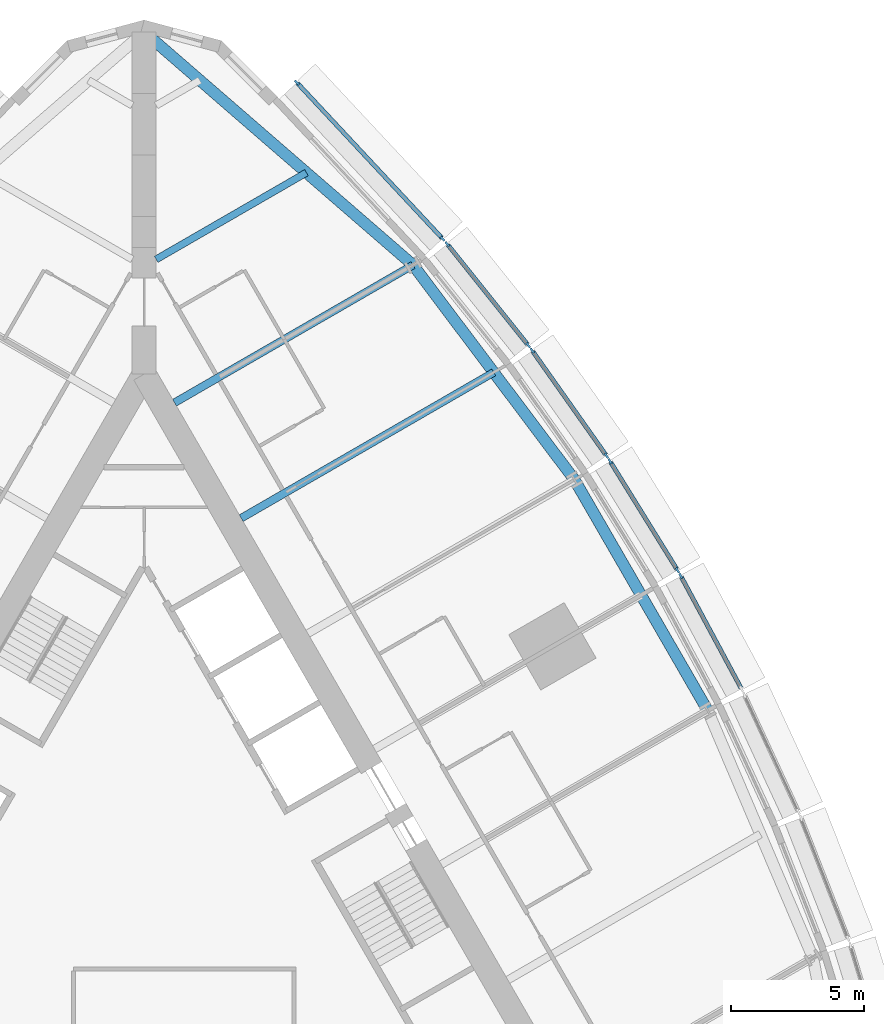
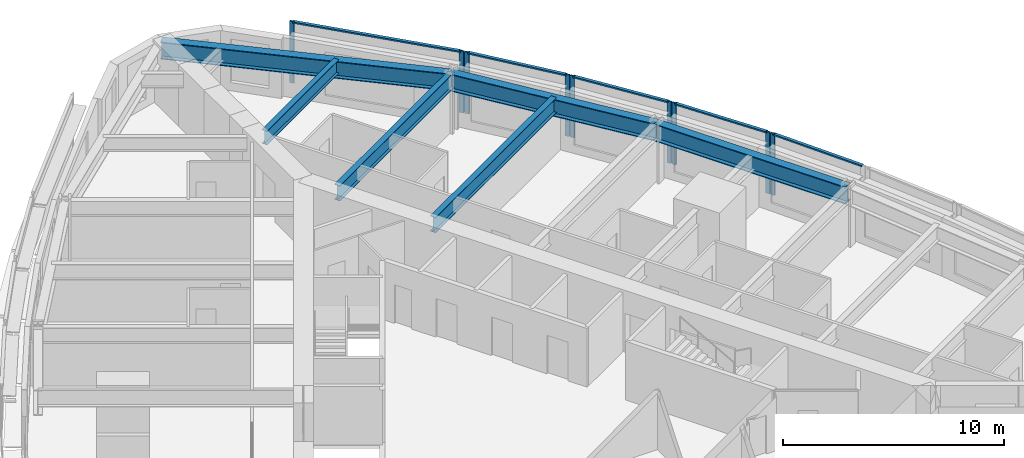
# One storey, part 5 of 14: 14 members, 6 beams, 5 elements without a shape of their own.
"""IFC4 building model written with IfcOpenShell, lengths in metres."""

from ifc_helpers import new_model, si_unit, direction, frame, origin, origin_2d, place, context, subcontext, project, spatial, rectangle, i_section, extrude, material, material_profile, profile_set, type_object, element, aggregate, save


model = new_model("IFC4")

# Units and contexts
model_context = context("Model", 3, precision=1e-05, world=origin(), true_north=direction((0.0, 1.0)))
body_context = subcontext(model_context, "Body", "Model", "MODEL_VIEW")
ifc_project = project(units=[si_unit("LENGTHUNIT", "METRE"), si_unit("AREAUNIT", "SQUARE_METRE"), si_unit("VOLUMEUNIT", "CUBIC_METRE"), si_unit("PLANEANGLEUNIT", "RADIAN"), si_unit("MASSUNIT", "GRAM", prefix="KILO")], contexts=[model_context])

# Site, building, storey
site_placement = place(None, origin())
site = spatial("IfcSite", under=ifc_project, at=site_placement, CompositionType="ELEMENT")
building_placement = place(site_placement, origin())
building = spatial("IfcBuilding", under=site, at=building_placement, Name="Trikona Tower", CompositionType="ELEMENT")
storey_placement = place(building_placement, frame((0.0, 0.0, 89.699951171875)))
storey = spatial("IfcBuildingStorey", under=building, at=storey_placement, Name="L23", CompositionType="ELEMENT", Elevation=89.699951171875)

# Curtain wall, member
ifc_material_1 = material(Name="Aluminium curtain wall system", Category="aluminium")
curtain_wall_type = type_object("IfcCurtainWallType", Name="Curtain wall DS1", PredefinedType="NOTDEFINED", material=ifc_material_1)
curtain_wall_1_placement = place(storey_placement, origin())
curtain_wall_1 = element("IfcCurtainWall", 1, at=curtain_wall_1_placement, inside=storey, type_object=curtain_wall_type, Name="Curtain wall DS1 L23", PredefinedType="NOTDEFINED")
ifc_material_2 = material(Name="Aluminium mullion, pale anodised", Category="aluminium")
ifc_material_profile_1 = material_profile(ifc_material_2, rectangle(XDim=0.080078125, YDim=0.219970703125, at=origin_2d()), Name="MUL-DS1")
ifc_profile_set_1 = profile_set([ifc_material_profile_1], Name="Aluminium mullion, pale anodised")
member_type_1 = type_object("IfcMemberType", Name="Mullion DS1 80x220", PredefinedType="MULLION", material=ifc_profile_set_1)
member_1_placement = place(storey_placement, frame((20.128662109375, 11.474365234375, 0.0), z_axis=(0.0, 0.0, 1.0), x_axis=(-0.880843080975, -0.473408350896, 0.0)))
member_1 = element("IfcMember", 2, at=member_1_placement, type_object=member_type_1, Name="CW-DS1 mullion 2", PredefinedType="MULLION", context=body_context, shape_type="SweptSolid", body=[
    extrude(rectangle(XDim=0.080078125, YDim=0.219970703125, at=origin_2d()), origin(), (0.0, 0.0, 1.0), 3.400146484375),
])

# Curtain wall, members
curtain_wall_2_placement = place(storey_placement, origin())
curtain_wall_2 = element("IfcCurtainWall", 3, at=curtain_wall_2_placement, inside=storey, type_object=curtain_wall_type, Name="Curtain wall DS1 L23", PredefinedType="NOTDEFINED")
member_2_placement = place(storey_placement, frame((20.00146484375, 11.69482421875, 0.0), z_axis=(0.0, 0.0, 1.0), x_axis=(-0.850410468941, -0.526119790842, 0.0)))
member_2 = element("IfcMember", 4, at=member_2_placement, type_object=member_type_1, Name="CW-DS1 mullion 1", PredefinedType="MULLION", context=body_context, shape_type="SweptSolid", body=[
    extrude(rectangle(XDim=0.080078125, YDim=0.219970703125, at=origin_2d()), origin(), (0.0, 0.0, 1.0), 3.400146484375),
])
member_3_placement = place(storey_placement, frame((17.474853515625, 15.77880859375, 0.0), z_axis=(0.0, 0.0, 1.0), x_axis=(-0.850410468941, -0.526119790842, 0.0)))
member_3 = element("IfcMember", 5, at=member_3_placement, type_object=member_type_1, Name="CW-DS1 mullion 2", PredefinedType="MULLION", context=body_context, shape_type="SweptSolid", body=[
    extrude(rectangle(XDim=0.080078125, YDim=0.219970703125, at=origin_2d()), origin(), (0.0, 0.0, 1.0), 3.400146484375),
])

curtain_wall_3_placement = place(storey_placement, origin())
curtain_wall_3 = element("IfcCurtainWall", 6, at=curtain_wall_3_placement, inside=storey, type_object=curtain_wall_type, Name="Curtain wall DS1 L23", PredefinedType="NOTDEFINED")
member_4_placement = place(storey_placement, frame((17.33447265625, 15.990966796875, 0.0), z_axis=(0.0, 0.0, 1.0), x_axis=(-0.816985393055, -0.576658362928, 0.0)))
member_4 = element("IfcMember", 7, at=member_4_placement, type_object=member_type_1, Name="CW-DS1 mullion 1", PredefinedType="MULLION", context=body_context, shape_type="SweptSolid", body=[
    extrude(rectangle(XDim=0.080078125, YDim=0.219970703125, at=origin_2d()), origin(), (0.0, 0.0, 1.0), 3.400146484375),
])
member_5_placement = place(storey_placement, frame((14.554443359375, 19.929443359375, 0.0), z_axis=(0.0, 0.0, 1.0), x_axis=(-0.816985393055, -0.576658362928, 0.0)))
member_5 = element("IfcMember", 8, at=member_5_placement, type_object=member_type_1, Name="CW-DS1 mullion 2", PredefinedType="MULLION", context=body_context, shape_type="SweptSolid", body=[
    extrude(rectangle(XDim=0.080078125, YDim=0.219970703125, at=origin_2d()), origin(), (0.0, 0.0, 1.0), 3.400146484375),
])

curtain_wall_4_placement = place(storey_placement, origin())
curtain_wall_4 = element("IfcCurtainWall", 9, at=curtain_wall_4_placement, inside=storey, type_object=curtain_wall_type, Name="Curtain wall DS1 L23", PredefinedType="NOTDEFINED")
member_6_placement = place(storey_placement, frame((14.40185546875, 20.13232421875, 0.0), z_axis=(0.0, 0.0, 1.0), x_axis=(-0.780937959679, -0.624608599951, 0.0)))
member_6 = element("IfcMember", 10, at=member_6_placement, type_object=member_type_1, Name="CW-DS1 mullion 1", PredefinedType="MULLION", context=body_context, shape_type="SweptSolid", body=[
    extrude(rectangle(XDim=0.080078125, YDim=0.219970703125, at=origin_2d()), origin(), (0.0, 0.0, 1.0), 3.400146484375),
])
member_7_placement = place(storey_placement, frame((11.36767578125, 23.926025390625, 0.0), z_axis=(0.0, 0.0, 1.0), x_axis=(-0.780937959679, -0.624608599951, 0.0)))
member_7 = element("IfcMember", 11, at=member_7_placement, type_object=member_type_1, Name="CW-DS1 mullion 2", PredefinedType="MULLION", context=body_context, shape_type="SweptSolid", body=[
    extrude(rectangle(XDim=0.080078125, YDim=0.219970703125, at=origin_2d()), origin(), (0.0, 0.0, 1.0), 3.400146484375),
])

curtain_wall_5_placement = place(storey_placement, origin())
curtain_wall_5 = element("IfcCurtainWall", 12, at=curtain_wall_5_placement, inside=storey, type_object=curtain_wall_type, Name="Curtain wall DS1 L23", PredefinedType="NOTDEFINED")
member_8_placement = place(storey_placement, frame((11.192138671875, 24.129150390625, 0.0), z_axis=(0.0, 0.0, 1.0), x_axis=(-0.731076639405, -0.682295351967, 0.0)))
member_8 = element("IfcMember", 13, at=member_8_placement, type_object=member_type_1, Name="CW-DS1 mullion 1", PredefinedType="MULLION", context=body_context, shape_type="SweptSolid", body=[
    extrude(rectangle(XDim=0.080078125, YDim=0.219970703125, at=origin_2d()), origin(), (0.0, 0.0, 1.0), 3.400146484375),
])
member_9_placement = place(storey_placement, frame((5.72607421875, 29.98583984375, 0.0), z_axis=(0.0, 0.0, 1.0), x_axis=(-0.731076639405, -0.682295351967, 0.0)))
member_9 = element("IfcMember", 14, at=member_9_placement, type_object=member_type_1, Name="CW-DS1 mullion 2", PredefinedType="MULLION", context=body_context, shape_type="SweptSolid", body=[
    extrude(rectangle(XDim=0.080078125, YDim=0.219970703125, at=origin_2d()), origin(), (0.0, 0.0, 1.0), 3.400146484375),
])

# Beams
ifc_material_3 = material(Name="Steel ASTM A992 Grade 50", Category="steel")
ifc_material_profile_2 = material_profile(ifc_material_3, i_section(OverallWidth=0.2666015625, OverallDepth=0.76953125, WebThickness=0.015625, FlangeThickness=0.025390625, at=origin_2d()), Name="W30X132")
ifc_profile_set_2 = profile_set([ifc_material_profile_2], Name="Steel ASTM A992 Grade 50")
beam_type_1 = type_object("IfcBeamType", Name="Steel beam W30x132 (wedge)", PredefinedType="BEAM", material=ifc_profile_set_2)
beam_1_placement = place(storey_placement, frame((0.449951171875, 23.353759765625, 2.850341796875), z_axis=(0.866022504693, 0.50000502134, 0.0), x_axis=(-0.50000502134, 0.866022504693, 0.0)))
element("IfcBeam", 15, at=beam_1_placement, inside=storey, type_object=beam_type_1, Name="Floor beam L24 F2 u20", PredefinedType="BEAM", context=body_context, shape_type="SweptSolid", body=[
    extrude(i_section(OverallWidth=0.2666015625, OverallDepth=0.76953125, WebThickness=0.015625, FlangeThickness=0.025390625, at=origin_2d()), origin(), (0.0, 0.0, 1.0), 6.5068359375),
])
ifc_material_4 = material(Name="Steel ASTM A992 Grade 50", Category="steel")
ifc_material_profile_3 = material_profile(ifc_material_4, i_section(OverallWidth=0.2919921875, OverallDepth=0.845703125, WebThickness=0.015380859375, FlangeThickness=0.0244140625, at=origin_2d()), Name="W33X141")
ifc_profile_set_3 = profile_set([ifc_material_profile_3], Name="Steel ASTM A992 Grade 50")
beam_type_2 = type_object("IfcBeamType", Name="Steel beam W33x141 (radial typ)", PredefinedType="BEAM", material=ifc_profile_set_3)
beam_2_placement = place(storey_placement, frame((3.6396484375, 13.6484375, 2.812255859375), z_axis=(0.866025348605, 0.500000095573, 0.0), x_axis=(-0.500000095573, 0.866025348605, 0.0)))
element("IfcBeam", 16, at=beam_2_placement, inside=storey, type_object=beam_type_2, Name="Floor beam L24 F2 u10", PredefinedType="BEAM", context=body_context, shape_type="SweptSolid", body=[
    extrude(i_section(OverallWidth=0.2919921875, OverallDepth=0.845703125, WebThickness=0.015380859375, FlangeThickness=0.0244140625, at=origin_2d()), origin(), (0.0, 0.0, 1.0), 10.935546875),
])
beam_3_placement = place(storey_placement, frame((1.1396484375, 17.978515625, 2.812255859375), z_axis=(0.866030471684, 0.499991222037, 0.0), x_axis=(-0.499991222037, 0.866030471684, 0.0)))
element("IfcBeam", 17, at=beam_3_placement, inside=storey, type_object=beam_type_2, Name="Floor beam L24 F2 u15", PredefinedType="BEAM", context=body_context, shape_type="SweptSolid", body=[
    extrude(i_section(OverallWidth=0.2919921875, OverallDepth=0.845703125, WebThickness=0.015380859375, FlangeThickness=0.0244140625, at=origin_2d()), origin(), (0.0, 0.0, 1.0), 10.326904296875),
])
ifc_material_5 = material(Name="Steel ASTM A992 Grade 50", Category="steel")
ifc_material_profile_4 = material_profile(ifc_material_5, i_section(OverallWidth=0.424072265625, OverallDepth=0.947509765625, WebThickness=0.02392578125, FlangeThickness=0.042724609375, at=origin_2d()), Name="W36X302")
ifc_profile_set_4 = profile_set([ifc_material_profile_4], Name="Steel ASTM A992 Grade 50")
beam_type_3 = type_object("IfcBeamType", Name="Steel beam W36x302 (spandrel)", PredefinedType="SPANDREL", material=ifc_profile_set_4)
beam_4_placement = place(storey_placement, frame((21.13720703125, 6.43017578125, 2.76123046875), z_axis=(-0.500004234368, 0.866022959057, 0.0), x_axis=(-0.866022959057, -0.500004234368, 0.0)))
element("IfcBeam", 18, at=beam_4_placement, inside=storey, type_object=beam_type_3, Name="Spandrel beam L24 F2-3", PredefinedType="SPANDREL", context=body_context, shape_type="SweptSolid", body=[
    extrude(i_section(OverallWidth=0.424072265625, OverallDepth=0.947509765625, WebThickness=0.02392578125, FlangeThickness=0.042724609375, at=origin_2d()), origin(), (0.0, 0.0, 1.0), 10.0),
])
beam_5_placement = place(storey_placement, frame((16.13720703125, 15.09033203125, 2.76123046875), z_axis=(-0.600988344191, 0.799257787042, 0.0), x_axis=(-0.799257787042, -0.600988344191, 0.0)))
element("IfcBeam", 19, at=beam_5_placement, inside=storey, type_object=beam_type_3, Name="Spandrel beam L24 F2-4", PredefinedType="SPANDREL", context=body_context, shape_type="SweptSolid", body=[
    extrude(i_section(OverallWidth=0.424072265625, OverallDepth=0.947509765625, WebThickness=0.02392578125, FlangeThickness=0.042724609375, at=origin_2d()), origin(), (0.0, 0.0, 1.0), 10.07373046875),
])
beam_6_placement = place(storey_placement, frame((10.0830078125, 23.141845703125, 2.76123046875), z_axis=(-0.755646822726, 0.654979296851, 0.0), x_axis=(-0.654979296851, -0.755646822726, 0.0)))
element("IfcBeam", 20, at=beam_6_placement, inside=storey, type_object=beam_type_3, Name="Spandrel beam L24 F2-5", PredefinedType="SPANDREL", context=body_context, shape_type="SweptSolid", body=[
    extrude(i_section(OverallWidth=0.424072265625, OverallDepth=0.947509765625, WebThickness=0.02392578125, FlangeThickness=0.042724609375, at=origin_2d()), origin(), (0.0, 0.0, 1.0), 13.343505859375),
])

# Member
ifc_material_6 = material(Name="Aluminium transom, pale anodised", Category="aluminium")
ifc_material_profile_5 = material_profile(ifc_material_6, rectangle(XDim=0.159912109375, YDim=0.080078125, at=origin_2d()), Name="TRN-DS1")
ifc_profile_set_5 = profile_set([ifc_material_profile_5], Name="Aluminium transom, pale anodised")
member_type_2 = type_object("IfcMemberType", Name="Transom DS1 80x160", PredefinedType="USERDEFINED", material=ifc_profile_set_5)
member_10_placement = place(storey_placement, frame((22.38330078125, 7.279541015625, 3.360107421875), z_axis=(-0.473427569755, 0.880832751546, 0.0), x_axis=(-0.880832751546, -0.473427569755, 0.0)))
member_10 = element("IfcMember", 21, at=member_10_placement, type_object=member_type_2, Name="CW-DS1 transom 1.1", ObjectType="TRANSOM", PredefinedType="USERDEFINED", context=body_context, shape_type="SweptSolid", body=[
    extrude(rectangle(XDim=0.159912109375, YDim=0.080078125, at=origin_2d()), origin(), (0.0, 0.0, 1.0), 4.72216796875),
])

aggregate(curtain_wall_1, [member_1, member_10])

member_11_placement = place(storey_placement, frame((19.980224609375, 11.728759765625, 3.360107421875), z_axis=(-0.526080502257, 0.850434774186, 0.0), x_axis=(-0.850434774186, -0.526080502257, 0.0)))
member_11 = element("IfcMember", 22, at=member_11_placement, type_object=member_type_2, Name="CW-DS1 transom 1.1", ObjectType="TRANSOM", PredefinedType="USERDEFINED", context=body_context, shape_type="SweptSolid", body=[
    extrude(rectangle(XDim=0.159912109375, YDim=0.080078125, at=origin_2d()), origin(), (0.0, 0.0, 1.0), 4.722412109375),
])

aggregate(curtain_wall_2, [member_2, member_3, member_11])

member_12_placement = place(storey_placement, frame((17.311279296875, 16.023681640625, 3.360107421875), z_axis=(-0.57664478015, 0.816994980111, 0.0), x_axis=(-0.816994980111, -0.57664478015, 0.0)))
member_12 = element("IfcMember", 23, at=member_12_placement, type_object=member_type_2, Name="CW-DS1 transom 1.1", ObjectType="TRANSOM", PredefinedType="USERDEFINED", context=body_context, shape_type="SweptSolid", body=[
    extrude(rectangle(XDim=0.159912109375, YDim=0.080078125, at=origin_2d()), origin(), (0.0, 0.0, 1.0), 4.740478515625),
])

aggregate(curtain_wall_3, [member_4, member_5, member_12])

member_13_placement = place(storey_placement, frame((14.376953125, 20.16357421875, 3.360107421875), z_axis=(-0.624589103832, 0.780953552636, 0.0), x_axis=(-0.780953552636, -0.624589103832, 0.0)))
member_13 = element("IfcMember", 24, at=member_13_placement, type_object=member_type_2, Name="CW-DS1 transom 1.1", ObjectType="TRANSOM", PredefinedType="USERDEFINED", context=body_context, shape_type="SweptSolid", body=[
    extrude(rectangle(XDim=0.159912109375, YDim=0.080078125, at=origin_2d()), origin(), (0.0, 0.0, 1.0), 4.77783203125),
])

aggregate(curtain_wall_4, [member_6, member_7, member_13])

member_14_placement = place(storey_placement, frame((11.164794921875, 24.158203125, 3.360107421875), z_axis=(-0.682290830921, 0.731080858758, 0.0), x_axis=(-0.731080858758, -0.682290830921, 0.0)))
member_14 = element("IfcMember", 25, at=member_14_placement, type_object=member_type_2, Name="CW-DS1 transom 1.1", ObjectType="TRANSOM", PredefinedType="USERDEFINED", context=body_context, shape_type="SweptSolid", body=[
    extrude(rectangle(XDim=0.159912109375, YDim=0.080078125, at=origin_2d()), origin(), (0.0, 0.0, 1.0), 7.93115234375),
])

aggregate(curtain_wall_5, [member_8, member_9, member_14])

save(model, "model.ifc")
